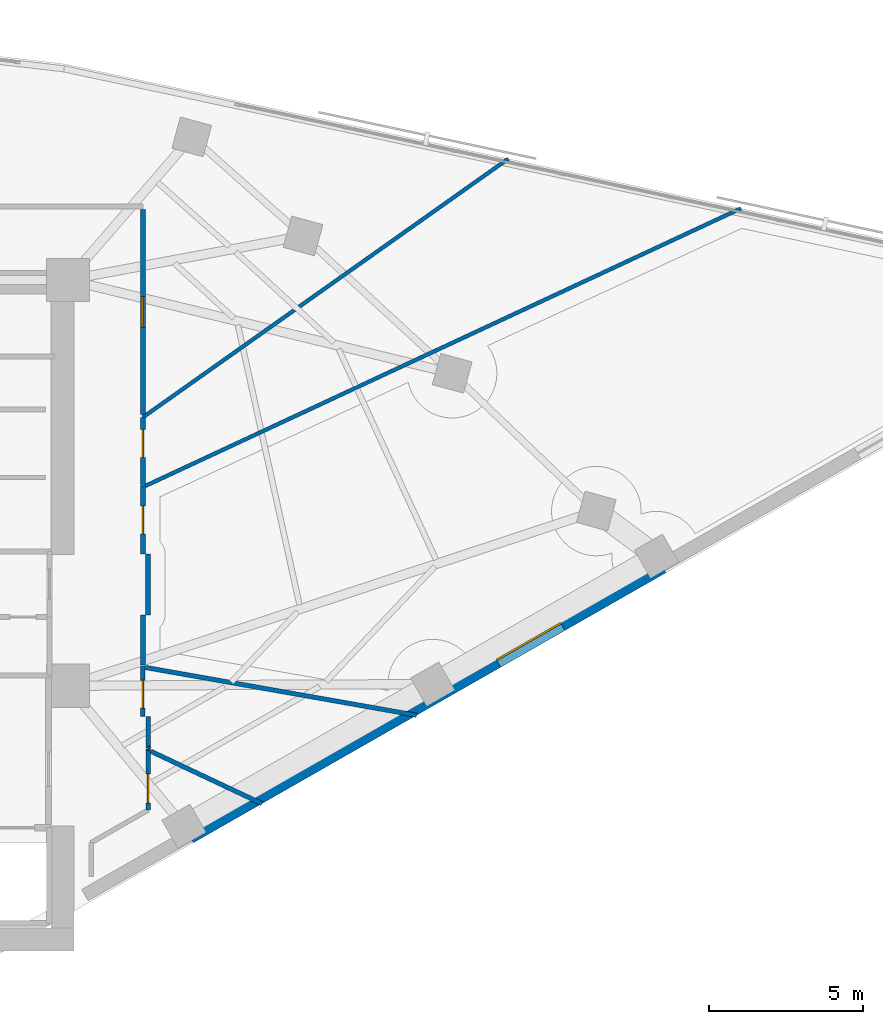
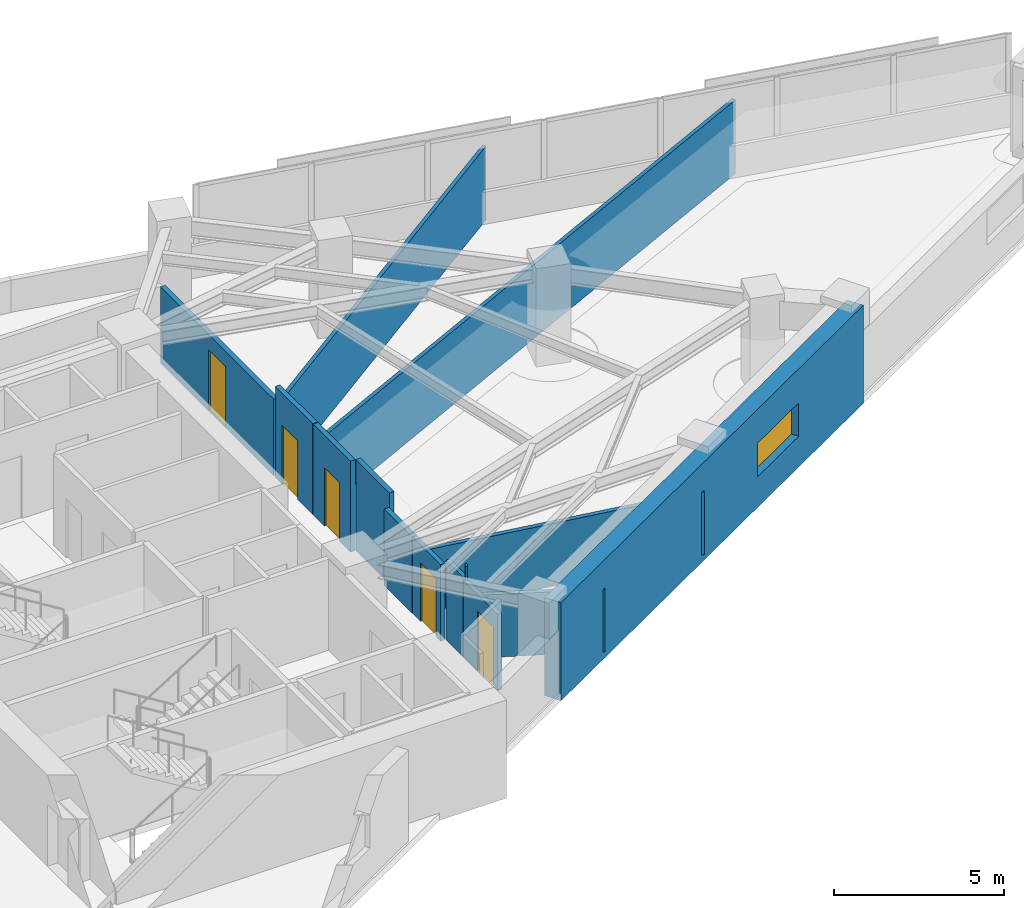
# One storey, part 11 of 14: 14 walls, 5 doors, 1 window, 6 openings.
"""IFC4 building model written with IfcOpenShell, lengths in metres."""

from ifc_helpers import new_model, si_unit, direction, frame, frame_2d, origin, place, context, subcontext, project, spatial, rectangle, extrude, material, layer, layer_set, type_object, element, fill, save


model = new_model("IFC4")

# Units and contexts
model_context = context("Model", 3, precision=1e-05, world=origin(), true_north=direction((0.0, 1.0)))
body_context = subcontext(model_context, "Body", "Model", "MODEL_VIEW")
ifc_project = project(units=[si_unit("LENGTHUNIT", "METRE"), si_unit("AREAUNIT", "SQUARE_METRE"), si_unit("VOLUMEUNIT", "CUBIC_METRE"), si_unit("PLANEANGLEUNIT", "RADIAN"), si_unit("MASSUNIT", "GRAM", prefix="KILO")], contexts=[model_context])

# Site, building, storey
site_placement = place(None, origin())
site = spatial("IfcSite", under=ifc_project, at=site_placement, CompositionType="ELEMENT")
building_placement = place(site_placement, origin())
building = spatial("IfcBuilding", under=site, at=building_placement, Name="Narakoshi Arena Tower", CompositionType="ELEMENT")
storey_placement = place(building_placement, frame((0.0, 0.0, 207.93994140625)))
storey = spatial("IfcBuildingStorey", under=building, at=storey_placement, Name="L56", CompositionType="ELEMENT", Elevation=207.93994140625)

# Wall, opening, door
ifc_material_1 = material(Name="Gypsum plasterboard fire-rated partition")
ifc_layer_1 = layer(ifc_material_1, 0.1650390625)
ifc_layer_set_1 = layer_set([ifc_layer_1], Name="Gypsum plasterboard fire-rated partition")
wall_type_1 = type_object("IfcWallType", Name="WL-CORR-165", PredefinedType="PARTITIONING", material=ifc_layer_set_1)
wall_1_placement = place(storey_placement, frame((87.976318359375, 47.6201171875, 0.0), z_axis=(0.0, 0.0, 1.0), x_axis=(0.0, 1.0, 0.0)))
wall_1 = element("IfcWall", 1, at=wall_1_placement, inside=storey, type_object=wall_type_1, Name="L56 Corridor Partition 04-1", PredefinedType="PARTITIONING", context=body_context, shape_type="SweptSolid", body=[
    extrude(rectangle(XDim=2.199951171875, YDim=0.1650390625, at=frame_2d((1.10009765625, 0.0))), origin(), (0.0, 0.0, 1.0), 3.260009765625),
])
opening_1_placement = place(wall_1_placement, frame((0.64990234375, 0.0, 0.0)))
opening_1 = element("IfcOpeningElement", 2, at=opening_1_placement, cuts=wall_1, Name="Opening D-08", PredefinedType="OPENING", context=body_context, shape_type="SweptSolid", body=[
    extrude(rectangle(XDim=0.89990234375, YDim=2.10009765625, at=frame_2d((0.449951171875, 1.050048828125))), frame((0.0, 0.092529296875, 0.0), z_axis=(0.0, -1.0, 0.0), x_axis=(1.0, 0.0, 0.0)), (0.0, 0.0, 1.0), 0.18505859375),
])
ifc_material_2 = material(Name="Moisture-resistant laminate timber", Category="wood")
door_type_1 = type_object("IfcDoorType", Name="DR-WC-900", OperationType="NOTDEFINED", PredefinedType="DOOR", material=ifc_material_2)
door_1_placement = place(opening_1_placement, frame((0.89990234375, 0.0, 0.0), z_axis=(0.0, 0.0, 1.0), x_axis=(-1.0, 0.0, 0.0)))
door_1 = element("IfcDoor", 3, at=door_1_placement, inside=storey, type_object=door_type_1, Name="DR-L56-020", OperationType="SINGLE_SWING_LEFT", OverallHeight=2.10009765625, OverallWidth=0.89990234375, PredefinedType="DOOR", context=body_context, shape_type="SweptSolid", body=[
    extrude(rectangle(XDim=0.89990234375, YDim=2.10009765625, at=frame_2d((0.449951171875, 1.050048828125))), frame((0.0, 0.02490234375, 0.0), z_axis=(0.0, -1.0, 0.0), x_axis=(1.0, 0.0, 0.0)), (0.0, 0.0, 1.0), 0.050048828125),
])
fill(opening_1, door_1)

# Walls
wall_2_placement = place(storey_placement, frame((88.14990234375, 45.64990234375, 0.0), z_axis=(0.0, 0.0, 1.0), x_axis=(0.0, 1.0, 0.0)))
element("IfcWall", 4, at=wall_2_placement, inside=storey, type_object=wall_type_1, Name="L56 Corridor Partition 04-2", PredefinedType="PARTITIONING", context=body_context, shape_type="SweptSolid", body=[
    extrude(rectangle(XDim=1.97021484375, YDim=0.1650390625, at=frame_2d((0.985107421875, 0.0))), origin(), (0.0, 0.0, 1.0), 3.260009765625),
])
wall_3_placement = place(storey_placement, frame((87.976318359375, 44.018798828125, 0.0), z_axis=(0.0, 0.0, 1.0), x_axis=(0.0, 1.0, 0.0)))
element("IfcWall", 5, at=wall_3_placement, inside=storey, type_object=wall_type_1, Name="L56 Corridor Partition 04-3", PredefinedType="PARTITIONING", context=body_context, shape_type="SweptSolid", body=[
    extrude(rectangle(XDim=1.631103515625, YDim=0.1650390625, at=frame_2d((0.8154296875, 0.0))), origin(), (0.0, 0.0, 1.0), 2.7451171875),
])

# Wall, opening, door
wall_4_placement = place(storey_placement, frame((87.976318359375, 49.846435546875, 0.0), z_axis=(0.0, 0.0, 1.0), x_axis=(0.0, 1.0, 0.0)))
wall_4 = element("IfcWall", 6, at=wall_4_placement, inside=storey, type_object=wall_type_1, Name="L56 Corridor Partition 05-1", PredefinedType="PARTITIONING", context=body_context, shape_type="SweptSolid", body=[
    extrude(rectangle(XDim=2.2001953125, YDim=0.1650390625, at=frame_2d((1.10009765625, 0.0))), origin(), (0.0, 0.0, 1.0), 3.260009765625),
])
opening_2_placement = place(wall_4_placement, frame((0.902099609375, 0.0, 0.0)))
opening_2 = element("IfcOpeningElement", 7, at=opening_2_placement, cuts=wall_4, Name="Opening D-08", PredefinedType="OPENING", context=body_context, shape_type="SweptSolid", body=[
    extrude(rectangle(XDim=0.89990234375, YDim=2.10009765625, at=frame_2d((0.449951171875, 1.050048828125))), frame((0.0, 0.092529296875, 0.0), z_axis=(0.0, -1.0, 0.0), x_axis=(1.0, 0.0, 0.0)), (0.0, 0.0, 1.0), 0.18505859375),
])
door_2_placement = place(opening_2_placement, frame((0.89990234375, 0.0, 0.0), z_axis=(0.0, 0.0, 1.0), x_axis=(-1.0, 0.0, 0.0)))
door_2 = element("IfcDoor", 8, at=door_2_placement, inside=storey, type_object=door_type_1, Name="DR-L56-021", OperationType="SINGLE_SWING_RIGHT", OverallHeight=2.10009765625, OverallWidth=0.89990234375, PredefinedType="DOOR", context=body_context, shape_type="SweptSolid", body=[
    extrude(rectangle(XDim=0.89990234375, YDim=2.10009765625, at=frame_2d((0.449951171875, 1.050048828125))), frame((0.0, 0.02490234375, 0.0), z_axis=(0.0, -1.0, 0.0), x_axis=(1.0, 0.0, 0.0)), (0.0, 0.0, 1.0), 0.050048828125),
])
fill(opening_2, door_2)

wall_5_placement = place(storey_placement, frame((87.976318359375, 52.137939453125, 0.0), z_axis=(0.0, 0.0, 1.0), x_axis=(0.0, 1.0, 0.0)))
wall_5 = element("IfcWall", 9, at=wall_5_placement, inside=storey, type_object=wall_type_1, Name="L56 Corridor Partition 06-2", PredefinedType="PARTITIONING", context=body_context, shape_type="SweptSolid", body=[
    extrude(rectangle(XDim=6.64404296875, YDim=0.1650390625, at=frame_2d((3.322021484375, 0.0))), origin(), (0.0, 0.0, 1.0), 2.7451171875),
])
opening_3_placement = place(wall_5_placement, frame((2.822021484375, 0.0, 0.0)))
opening_3 = element("IfcOpeningElement", 10, at=opening_3_placement, cuts=wall_5, Name="Opening D-06", PredefinedType="OPENING", context=body_context, shape_type="SweptSolid", body=[
    extrude(rectangle(XDim=1.0, YDim=2.199951171875, at=frame_2d((0.5, 1.10009765625))), frame((0.0, 0.092529296875, 0.0), z_axis=(0.0, -1.0, 0.0), x_axis=(1.0, 0.0, 0.0)), (0.0, 0.0, 1.0), 0.18505859375),
])
ifc_material_3 = material(Name="Stained oak solid-core timber", Category="wood")
door_type_2 = type_object("IfcDoorType", Name="DR-OFF-1000", OperationType="NOTDEFINED", PredefinedType="DOOR", material=ifc_material_3)
door_3_placement = place(opening_3_placement, frame((1.0, 0.0, 0.0), z_axis=(0.0, 0.0, 1.0), x_axis=(-1.0, 0.0, 0.0)))
door_3 = element("IfcDoor", 11, at=door_3_placement, inside=storey, type_object=door_type_2, Name="DR-L56-022", OperationType="SINGLE_SWING_LEFT", OverallHeight=2.199951171875, OverallWidth=1.0, PredefinedType="DOOR", context=body_context, shape_type="SweptSolid", body=[
    extrude(rectangle(XDim=1.0, YDim=2.199951171875, at=frame_2d((0.5, 1.10009765625))), frame((0.0, 0.02490234375, 0.0), z_axis=(0.0, -1.0, 0.0), x_axis=(1.0, 0.0, 0.0)), (0.0, 0.0, 1.0), 0.050048828125),
])
fill(opening_3, door_3)

# Wall, opening, window
ifc_material_4 = material(Name="Concrete C50/60", Category="concrete")
ifc_layer_2 = layer(ifc_material_4, 0.550048828125)
ifc_layer_set_2 = layer_set([ifc_layer_2], Name="Concrete C50/60")
wall_type_2 = type_object("IfcWallType", Name="WL-LEG-550", PredefinedType="SHEAR", material=ifc_layer_set_2)
wall_6_placement = place(storey_placement, frame((89.479248046875, 38.4990234375, -0.260009765625), z_axis=(0.0, 0.0, 1.0), x_axis=(0.868197136736, 0.496219439123, 0.0)))
wall_6 = element("IfcWall", 12, at=wall_6_placement, inside=storey, type_object=wall_type_2, Name="L56 Architectural Concrete Structural Wall LEGA-3", PredefinedType="SHEAR", context=body_context, shape_type="SweptSolid", body=[
    extrude(rectangle(XDim=17.63623046875, YDim=0.550048828125, at=frame_2d((8.818115234375, 0.0))), origin(), (0.0, 0.0, 1.0), 3.52001953125),
])
opening_4_placement = place(wall_6_placement, frame((11.463623046875, 0.0, 1.10009765625)))
opening_4 = element("IfcOpeningElement", 13, at=opening_4_placement, cuts=wall_6, Name="Opening WN-04", PredefinedType="OPENING", context=body_context, shape_type="SweptSolid", body=[
    extrude(rectangle(XDim=2.39990234375, YDim=1.199951171875, at=frame_2d((1.199951171875, 0.60009765625))), frame((0.0, 0.284912109375, 0.0), z_axis=(0.0, -1.0, 0.0), x_axis=(1.0, 0.0, 0.0)), (0.0, 0.0, 1.0), 0.570068359375),
])
ifc_material_5 = material(Name="Bronze-tinted low-E laminated glass", Category="glass")
window_type = type_object("IfcWindowType", Name="WIN-SLT-24x12", PartitioningType="SINGLE_PANEL", PredefinedType="WINDOW", material=ifc_material_5)
window_placement = place(opening_4_placement, origin())
window = element("IfcWindow", 14, at=window_placement, inside=storey, type_object=window_type, Name="L56 LEGA3 Horizontal Slot Window 1", OverallHeight=1.199951171875, OverallWidth=2.39990234375, PartitioningType="SINGLE_PANEL", PredefinedType="WINDOW", context=body_context, shape_type="SweptSolid", body=[
    extrude(rectangle(XDim=2.39990234375, YDim=1.199951171875, at=frame_2d((1.199951171875, 0.60009765625))), frame((0.0, 0.030029296875, 0.0), z_axis=(0.0, -1.0, 0.0), x_axis=(1.0, 0.0, 0.0)), (0.0, 0.0, 1.0), 0.06005859375),
])
fill(opening_4, window)

# Walls
ifc_layer_3 = layer(ifc_material_1, 0.125)
ifc_layer_set_3 = layer_set([ifc_layer_3], Name="Gypsum plasterboard fire-rated partition")
wall_type_3 = type_object("IfcWallType", Name="WL-PART-125", PredefinedType="PARTITIONING", material=ifc_layer_set_3)
wall_7_placement = place(storey_placement, frame((88.04833984375, 49.820068359375, 0.0), z_axis=(0.0, 0.0, 1.0), x_axis=(0.906409961827, 0.422399078006, 0.0)))
element("IfcWall", 15, at=wall_7_placement, inside=storey, type_object=wall_type_3, Name="L56 Inter-Room Partition 04-05", PredefinedType="PARTITIONING", context=body_context, shape_type="SweptSolid", body=[
    extrude(rectangle(XDim=21.298828125, YDim=0.125, at=frame_2d((10.6494140625, 0.0))), origin(), (0.0, 0.0, 1.0), 2.64501953125),
])
wall_8_placement = place(storey_placement, frame((87.976318359375, 52.046630859375, 0.0), z_axis=(0.0, 0.0, 1.0), x_axis=(0.81628635006, 0.577647465765, 0.0)))
element("IfcWall", 16, at=wall_8_placement, inside=storey, type_object=wall_type_3, Name="L56 Inter-Room Partition 05-06", PredefinedType="PARTITIONING", context=body_context, shape_type="SweptSolid", body=[
    extrude(rectangle(XDim=14.5068359375, YDim=0.125, at=frame_2d((7.25341796875, 0.0))), origin(), (0.0, 0.0, 1.0), 2.64501953125),
])

# Wall, opening, door
ifc_material_6 = material(Name="Moisture-resistant cement-board partition")
ifc_layer_4 = layer(ifc_material_6, 0.14501953125)
ifc_layer_set_4 = layer_set([ifc_layer_4], Name="Moisture-resistant cement-board partition")
wall_type_4 = type_object("IfcWallType", Name="WL-WET-145", PredefinedType="PARTITIONING", material=ifc_layer_set_4)
wall_9_placement = place(storey_placement, frame((88.14990234375, 39.322998046875, 0.0), z_axis=(0.0, 0.0, 1.0), x_axis=(0.0, 1.0, 0.0)))
wall_9 = element("IfcWall", 17, at=wall_9_placement, inside=storey, type_object=wall_type_4, Name="L56 Corridor Partition 02-2", PredefinedType="PARTITIONING", context=body_context, shape_type="SweptSolid", body=[
    extrude(rectangle(XDim=1.984619140625, YDim=0.14501953125, at=frame_2d((0.9921875, 0.0))), origin(), (0.0, 0.0, 1.0), 2.7451171875),
])
opening_5_placement = place(wall_9_placement, frame((0.225341796875, 0.0, 0.0)))
opening_5 = element("IfcOpeningElement", 18, at=opening_5_placement, cuts=wall_9, Name="Opening D-07", PredefinedType="OPENING", context=body_context, shape_type="SweptSolid", body=[
    extrude(rectangle(XDim=0.949951171875, YDim=2.14990234375, at=frame_2d((0.47509765625, 1.074951171875))), frame((0.0, 0.08251953125, 0.0), z_axis=(0.0, -1.0, 0.0), x_axis=(1.0, 0.0, 0.0)), (0.0, 0.0, 1.0), 0.1650390625),
])
door_type_3 = type_object("IfcDoorType", Name="DR-ACC-950", OperationType="NOTDEFINED", PredefinedType="DOOR", material=ifc_material_3)
door_4_placement = place(opening_5_placement, frame((0.949951171875, 0.0, 0.0), z_axis=(0.0, 0.0, 1.0), x_axis=(-1.0, 0.0, 0.0)))
door_4 = element("IfcDoor", 19, at=door_4_placement, inside=storey, type_object=door_type_3, Name="DR-L56-018", OperationType="SINGLE_SWING_RIGHT", OverallHeight=2.14990234375, OverallWidth=0.949951171875, PredefinedType="DOOR", context=body_context, shape_type="SweptSolid", body=[
    extrude(rectangle(XDim=0.949951171875, YDim=2.14990234375, at=frame_2d((0.47509765625, 1.074951171875))), frame((0.0, 0.02490234375, 0.0), z_axis=(0.0, -1.0, 0.0), x_axis=(1.0, 0.0, 0.0)), (0.0, 0.0, 1.0), 0.050048828125),
])
fill(opening_5, door_4)

# Wall
wall_10_placement = place(storey_placement, frame((88.234619140625, 41.228271484375, 0.0), z_axis=(0.0, 0.0, 1.0), x_axis=(0.904454353527, -0.426570419023, 0.0)))
element("IfcWall", 20, at=wall_10_placement, inside=storey, type_object=wall_type_4, Name="L56 Inter-Room Partition 02-03", PredefinedType="PARTITIONING", context=body_context, shape_type="SweptSolid", body=[
    extrude(rectangle(XDim=3.982177734375, YDim=0.14501953125, at=frame_2d((1.9912109375, 0.0))), origin(), (0.0, 0.0, 1.0), 2.2451171875),
])

# Wall, opening, door
wall_11_placement = place(storey_placement, frame((87.976318359375, 42.35009765625, 0.0), z_axis=(0.0, 0.0, 1.0), x_axis=(0.0, 1.0, 0.0)))
wall_11 = element("IfcWall", 21, at=wall_11_placement, inside=storey, type_object=wall_type_4, Name="L56 Corridor Partition 03-1", PredefinedType="PARTITIONING", context=body_context, shape_type="SweptSolid", body=[
    extrude(rectangle(XDim=1.644287109375, YDim=0.14501953125, at=frame_2d((0.822265625, 0.0))), origin(), (0.0, 0.0, 1.0), 2.7451171875),
])
opening_6_placement = place(wall_11_placement, frame((0.27587890625, 0.0, 0.0)))
opening_6 = element("IfcOpeningElement", 22, at=opening_6_placement, cuts=wall_11, Name="Opening D-08", PredefinedType="OPENING", context=body_context, shape_type="SweptSolid", body=[
    extrude(rectangle(XDim=0.89990234375, YDim=2.10009765625, at=frame_2d((0.449951171875, 1.050048828125))), frame((0.0, 0.08251953125, 0.0), z_axis=(0.0, -1.0, 0.0), x_axis=(1.0, 0.0, 0.0)), (0.0, 0.0, 1.0), 0.1650390625),
])
door_5_placement = place(opening_6_placement, frame((0.89990234375, 0.0, 0.0), z_axis=(0.0, 0.0, 1.0), x_axis=(-1.0, 0.0, 0.0)))
door_5 = element("IfcDoor", 23, at=door_5_placement, inside=storey, type_object=door_type_1, Name="DR-L56-019", OperationType="SINGLE_SWING_RIGHT", OverallHeight=2.10009765625, OverallWidth=0.89990234375, PredefinedType="DOOR", context=body_context, shape_type="SweptSolid", body=[
    extrude(rectangle(XDim=0.89990234375, YDim=2.10009765625, at=frame_2d((0.449951171875, 1.050048828125))), frame((0.0, 0.02490234375, 0.0), z_axis=(0.0, -1.0, 0.0), x_axis=(1.0, 0.0, 0.0)), (0.0, 0.0, 1.0), 0.050048828125),
])
fill(opening_6, door_5)

# Walls
wall_12_placement = place(storey_placement, frame((88.14990234375, 41.333984375, 0.0), z_axis=(0.0, 0.0, 1.0), x_axis=(0.0, 1.0, 0.0)))
element("IfcWall", 24, at=wall_12_placement, inside=storey, type_object=wall_type_4, Name="L56 Corridor Partition 03-2", PredefinedType="PARTITIONING", context=body_context, shape_type="SweptSolid", body=[
    extrude(rectangle(XDim=1.01611328125, YDim=0.14501953125, at=frame_2d((0.508056640625, 0.0))), origin(), (0.0, 0.0, 1.0), 2.844970703125),
])
wall_13_placement = place(storey_placement, frame((88.20751953125, 41.3076171875, 0.0), z_axis=(0.0, 0.0, 1.0), x_axis=(-0.909307898958, 0.41612395376, 0.0)))
element("IfcWall", 25, at=wall_13_placement, inside=storey, type_object=wall_type_4, Name="L56 Corridor Partition 03-3", PredefinedType="PARTITIONING", context=body_context, shape_type="SweptSolid", body=[
    extrude(rectangle(XDim=0.0634765625, YDim=0.14501953125, at=frame_2d((0.03173828125, 0.0))), origin(), (0.0, 0.0, 1.0), 3.260009765625),
])
wall_14_placement = place(storey_placement, frame((88.060791015625, 43.943115234375, 0.0), z_axis=(0.0, 0.0, 1.0), x_axis=(0.98476674656, -0.173880576456, 0.0)))
element("IfcWall", 26, at=wall_14_placement, inside=storey, type_object=wall_type_4, Name="L56 Inter-Room Partition 03-04", PredefinedType="PARTITIONING", context=body_context, shape_type="SweptSolid", body=[
    extrude(rectangle(XDim=8.920166015625, YDim=0.14501953125, at=frame_2d((4.4599609375, 0.0))), origin(), (0.0, 0.0, 1.0), 2.2451171875),
])

save(model, "model.ifc")
